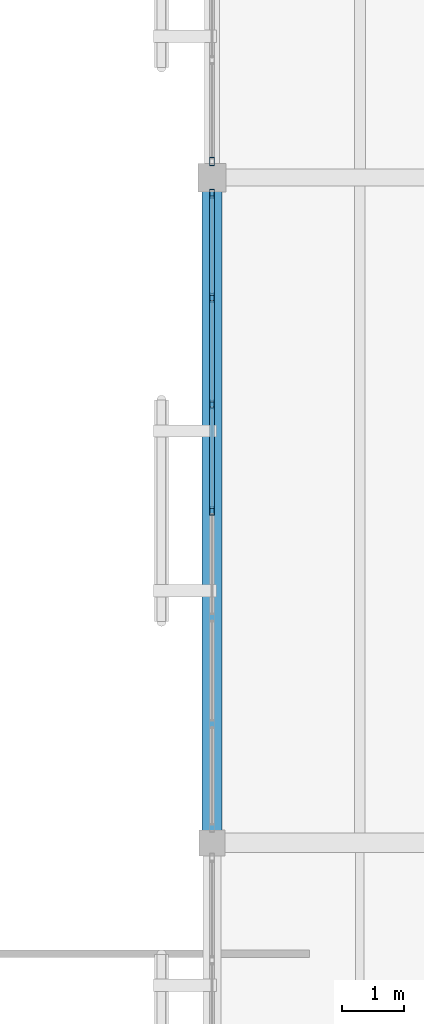
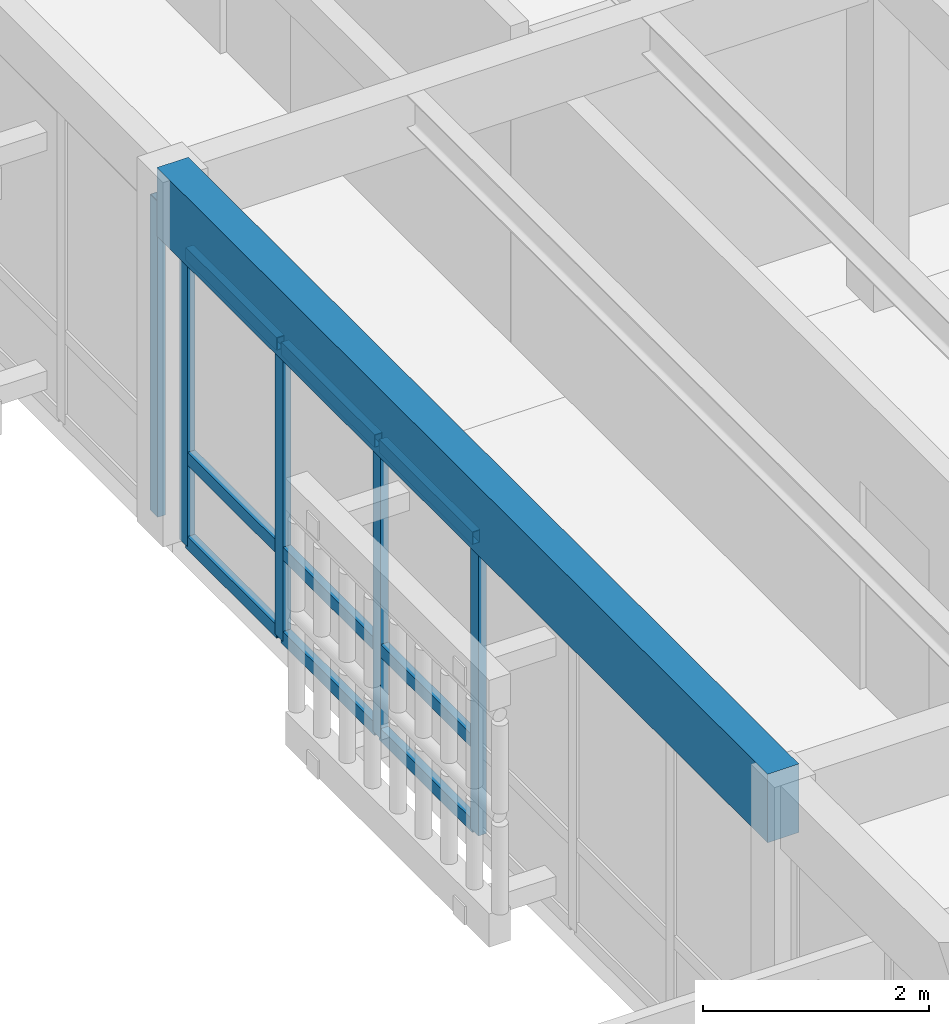
# One storey, part 21 of 61: 14 members, 1 beam, 2 elements without a shape of their own.
"""IFC4 building model written with IfcOpenShell, lengths in metres."""

from ifc_helpers import new_model, si_unit, direction, frame, origin, origin_2d, place, context, subcontext, project, spatial, rectangle, hollow_rectangle, extrude, material, layer, layer_set, material_profile, profile_set, type_object, element, aggregate, save


model = new_model("IFC4")

# Units and contexts
model_context = context("Model", 3, precision=1e-05, world=origin(), true_north=direction((0.0, 1.0)))
body_context = subcontext(model_context, "Body", "Model", "MODEL_VIEW")
ifc_project = project(units=[si_unit("LENGTHUNIT", "METRE"), si_unit("AREAUNIT", "SQUARE_METRE"), si_unit("VOLUMEUNIT", "CUBIC_METRE"), si_unit("PLANEANGLEUNIT", "RADIAN"), si_unit("MASSUNIT", "GRAM", prefix="KILO")], contexts=[model_context])

# Site, building, storey
site_placement = place(None, origin())
site = spatial("IfcSite", under=ifc_project, at=site_placement, CompositionType="ELEMENT")
building_placement = place(site_placement, origin())
building = spatial("IfcBuilding", under=site, at=building_placement, Name="Mazaris Harbour Polytechnic", CompositionType="ELEMENT")
storey_placement = place(building_placement, frame((0.0, 0.0, 18.0)))
storey = spatial("IfcBuildingStorey", under=building, at=storey_placement, Name="L04", CompositionType="ELEMENT", Elevation=18.0)

# Curtain wall, members
ifc_material_1 = material(Name="Anodised Bronze Aluminium and Low-E Glass", Category="aluminium")
ifc_layer = layer(ifc_material_1, 0.159912109375, Name="Anodised Bronze Aluminium and Low-E Glass")
ifc_layer_set = layer_set([ifc_layer], Name="Anodised Bronze Aluminium and Low-E Glass")
curtain_wall_type = type_object("IfcCurtainWallType", Name="Cloister Court Curtain Wall", PredefinedType="NOTDEFINED", material=ifc_layer_set)
curtain_wall_1_placement = place(storey_placement, origin())
curtain_wall_1 = element("IfcCurtainWall", 1, at=curtain_wall_1_placement, inside=storey, type_object=curtain_wall_type, Name="V4 L04 Curtain Wall 176", PredefinedType="NOTDEFINED")
ifc_material_2 = material(Name="Anodised Bronze Steel S355", Category="steel")
ifc_material_profile_1 = material_profile(ifc_material_2, hollow_rectangle(XDim=0.080078125, YDim=0.139892578125, WallThickness=0.00634765625, at=origin_2d()), Name="RHS 80x140x6.3")
ifc_profile_set_1 = profile_set([ifc_material_profile_1], Name="Anodised Bronze Steel S355")
member_type_1 = type_object("IfcMemberType", Name="Curtain Mullion RHS80x140", PredefinedType="MULLION", material=ifc_profile_set_1)
member_1_placement = place(storey_placement, frame((28.800048828125, 53.738037109375, 0.0), z_axis=(0.0, 0.0, 1.0), x_axis=(1.0, 0.0, 0.0)))
member_1 = element("IfcMember", 2, at=member_1_placement, type_object=member_type_1, Name="CW-02 mullion 1", PredefinedType="MULLION", context=body_context, shape_type="SweptSolid", body=[
    extrude(hollow_rectangle(XDim=0.080078125, YDim=0.139892578125, WallThickness=0.00634765625, at=origin_2d()), origin(), (0.0, 0.0, 1.0), 3.18505859375),
])
member_2_placement = place(storey_placement, frame((28.800048828125, 52.048583984375, 0.0), z_axis=(0.0, 0.0, 1.0), x_axis=(1.0, 0.0, 0.0)))
member_2 = element("IfcMember", 3, at=member_2_placement, type_object=member_type_1, Name="CW-02 mullion 2", PredefinedType="MULLION", context=body_context, shape_type="SweptSolid", body=[
    extrude(hollow_rectangle(XDim=0.080078125, YDim=0.139892578125, WallThickness=0.00634765625, at=origin_2d()), origin(), (0.0, 0.0, 1.0), 3.18505859375),
])
member_3_placement = place(storey_placement, frame((28.800048828125, 50.3193359375, 0.0), z_axis=(0.0, 0.0, 1.0), x_axis=(1.0, 0.0, 0.0)))
member_3 = element("IfcMember", 4, at=member_3_placement, type_object=member_type_1, Name="CW-02 mullion 3", PredefinedType="MULLION", context=body_context, shape_type="SweptSolid", body=[
    extrude(hollow_rectangle(XDim=0.080078125, YDim=0.139892578125, WallThickness=0.00634765625, at=origin_2d()), origin(), (0.0, 0.0, 1.0), 3.18505859375),
])
member_4_placement = place(storey_placement, frame((28.800048828125, 48.590087890625, 0.0), z_axis=(0.0, 0.0, 1.0), x_axis=(1.0, 0.0, 0.0)))
member_4 = element("IfcMember", 5, at=member_4_placement, type_object=member_type_1, Name="CW-02 mullion 4", PredefinedType="MULLION", context=body_context, shape_type="SweptSolid", body=[
    extrude(hollow_rectangle(XDim=0.080078125, YDim=0.139892578125, WallThickness=0.00634765625, at=origin_2d()), origin(), (0.0, 0.0, 1.0), 3.18505859375),
])

# Curtain wall, member
curtain_wall_2_placement = place(storey_placement, origin())
curtain_wall_2 = element("IfcCurtainWall", 6, at=curtain_wall_2_placement, inside=storey, type_object=curtain_wall_type, Name="V4 L04 Curtain Wall 177", PredefinedType="NOTDEFINED")
member_5_placement = place(storey_placement, frame((28.800048828125, 54.261962890625, 0.0), z_axis=(0.0, 0.0, 1.0), x_axis=(1.0, 0.0, 0.0)))
member_5 = element("IfcMember", 7, at=member_5_placement, type_object=member_type_1, Name="CW-02 mullion 5", PredefinedType="MULLION", context=body_context, shape_type="SweptSolid", body=[
    extrude(hollow_rectangle(XDim=0.080078125, YDim=0.139892578125, WallThickness=0.00634765625, at=origin_2d()), origin(), (0.0, 0.0, 1.0), 3.405029296875),
])
aggregate(curtain_wall_2, [member_5])

# Member
ifc_material_3 = material(Name="Anodised Bronze Steel S355", Category="steel")
ifc_material_profile_2 = material_profile(ifc_material_3, hollow_rectangle(XDim=0.080078125, YDim=0.139892578125, WallThickness=0.00634765625, at=origin_2d()), Name="RHS 80x140x6.3")
ifc_profile_set_2 = profile_set([ifc_material_profile_2], Name="Anodised Bronze Steel S355")
member_type_2 = type_object("IfcMemberType", Name="Curtain Transom RHS80x140", PredefinedType="USERDEFINED", material=ifc_profile_set_2)
member_6_placement = place(storey_placement, frame((28.800048828125, 53.697998046875, 0.0400390625), z_axis=(0.0, -1.0, 0.0), x_axis=(1.0, 0.0, 0.0)))
member_6 = element("IfcMember", 8, at=member_6_placement, type_object=member_type_2, Name="CW-02 transom 1.1", ObjectType="TRANSOM", PredefinedType="USERDEFINED", context=body_context, shape_type="SweptSolid", body=[
    extrude(hollow_rectangle(XDim=0.080078125, YDim=0.139892578125, WallThickness=0.00634765625, at=origin_2d()), origin(), (0.0, 0.0, 1.0), 1.609375),
])

member_7_placement = place(storey_placement, frame((28.800048828125, 53.697998046875, 0.949951171875), z_axis=(0.0, -1.0, 0.0), x_axis=(1.0, 0.0, 0.0)))
member_7 = element("IfcMember", 9, at=member_7_placement, type_object=member_type_2, Name="CW-02 transom 1.2", ObjectType="TRANSOM", PredefinedType="USERDEFINED", context=body_context, shape_type="SweptSolid", body=[
    extrude(hollow_rectangle(XDim=0.080078125, YDim=0.139892578125, WallThickness=0.00634765625, at=origin_2d()), origin(), (0.0, 0.0, 1.0), 1.609375),
])

member_8_placement = place(storey_placement, frame((28.800048828125, 53.697998046875, 3.14501953125), z_axis=(0.0, -1.0, 0.0), x_axis=(1.0, 0.0, 0.0)))
member_8 = element("IfcMember", 10, at=member_8_placement, type_object=member_type_2, Name="CW-02 transom 1.3", ObjectType="TRANSOM", PredefinedType="USERDEFINED", context=body_context, shape_type="SweptSolid", body=[
    extrude(hollow_rectangle(XDim=0.080078125, YDim=0.139892578125, WallThickness=0.00634765625, at=origin_2d()), origin(), (0.0, 0.0, 1.0), 1.609375),
])

member_9_placement = place(storey_placement, frame((28.800048828125, 52.008544921875, 0.0400390625), z_axis=(0.0, -1.0, 0.0), x_axis=(1.0, 0.0, 0.0)))
member_9 = element("IfcMember", 11, at=member_9_placement, type_object=member_type_2, Name="CW-02 transom 2.1", ObjectType="TRANSOM", PredefinedType="USERDEFINED", context=body_context, shape_type="SweptSolid", body=[
    extrude(hollow_rectangle(XDim=0.080078125, YDim=0.139892578125, WallThickness=0.00634765625, at=origin_2d()), origin(), (0.0, 0.0, 1.0), 1.649169921875),
])

member_10_placement = place(storey_placement, frame((28.800048828125, 52.008544921875, 0.949951171875), z_axis=(0.0, -1.0, 0.0), x_axis=(1.0, 0.0, 0.0)))
member_10 = element("IfcMember", 12, at=member_10_placement, type_object=member_type_2, Name="CW-02 transom 2.2", ObjectType="TRANSOM", PredefinedType="USERDEFINED", context=body_context, shape_type="SweptSolid", body=[
    extrude(hollow_rectangle(XDim=0.080078125, YDim=0.139892578125, WallThickness=0.00634765625, at=origin_2d()), origin(), (0.0, 0.0, 1.0), 1.649169921875),
])

member_11_placement = place(storey_placement, frame((28.800048828125, 52.008544921875, 3.14501953125), z_axis=(0.0, -1.0, 0.0), x_axis=(1.0, 0.0, 0.0)))
member_11 = element("IfcMember", 13, at=member_11_placement, type_object=member_type_2, Name="CW-02 transom 2.3", ObjectType="TRANSOM", PredefinedType="USERDEFINED", context=body_context, shape_type="SweptSolid", body=[
    extrude(hollow_rectangle(XDim=0.080078125, YDim=0.139892578125, WallThickness=0.00634765625, at=origin_2d()), origin(), (0.0, 0.0, 1.0), 1.649169921875),
])

member_12_placement = place(storey_placement, frame((28.800048828125, 50.279296875, 0.0400390625), z_axis=(0.0, -1.0, 0.0), x_axis=(1.0, 0.0, 0.0)))
member_12 = element("IfcMember", 14, at=member_12_placement, type_object=member_type_2, Name="CW-02 transom 3.1", ObjectType="TRANSOM", PredefinedType="USERDEFINED", context=body_context, shape_type="SweptSolid", body=[
    extrude(hollow_rectangle(XDim=0.080078125, YDim=0.139892578125, WallThickness=0.00634765625, at=origin_2d()), origin(), (0.0, 0.0, 1.0), 1.6494140625),
])

member_13_placement = place(storey_placement, frame((28.800048828125, 50.279296875, 0.949951171875), z_axis=(0.0, -1.0, 0.0), x_axis=(1.0, 0.0, 0.0)))
member_13 = element("IfcMember", 15, at=member_13_placement, type_object=member_type_2, Name="CW-02 transom 3.2", ObjectType="TRANSOM", PredefinedType="USERDEFINED", context=body_context, shape_type="SweptSolid", body=[
    extrude(hollow_rectangle(XDim=0.080078125, YDim=0.139892578125, WallThickness=0.00634765625, at=origin_2d()), origin(), (0.0, 0.0, 1.0), 1.6494140625),
])

member_14_placement = place(storey_placement, frame((28.800048828125, 50.279296875, 3.14501953125), z_axis=(0.0, -1.0, 0.0), x_axis=(1.0, 0.0, 0.0)))
member_14 = element("IfcMember", 16, at=member_14_placement, type_object=member_type_2, Name="CW-02 transom 3.3", ObjectType="TRANSOM", PredefinedType="USERDEFINED", context=body_context, shape_type="SweptSolid", body=[
    extrude(hollow_rectangle(XDim=0.080078125, YDim=0.139892578125, WallThickness=0.00634765625, at=origin_2d()), origin(), (0.0, 0.0, 1.0), 1.6494140625),
])

aggregate(curtain_wall_1, [member_1, member_2, member_3, member_4, member_6, member_7, member_8, member_9, member_10, member_11, member_12, member_13, member_14])

# Beam
ifc_material_4 = material(Name="Glulam GL32h", Category="wood")
ifc_material_profile_3 = material_profile(ifc_material_4, rectangle(XDim=0.320068359375, YDim=0.739990234375, at=origin_2d()), Name="RECT320x740")
ifc_profile_set_3 = profile_set([ifc_material_profile_3], Name="Glulam GL32h")
beam_type = type_object("IfcBeamType", Name="Glulam Girder 320x740", PredefinedType="BEAM", material=ifc_profile_set_3)
beam_placement = place(storey_placement, frame((28.800048828125, 43.199951171875, 3.56494140625), z_axis=(0.0, 1.0, 0.0), x_axis=(-1.0, 0.0, 0.0)))
element("IfcBeam", 17, at=beam_placement, inside=storey, type_object=beam_type, Name="V4 L04 Tie Girder 2424", PredefinedType="BEAM", context=body_context, shape_type="SweptSolid", body=[
    extrude(rectangle(XDim=0.320068359375, YDim=0.739990234375, at=origin_2d()), origin(), (0.0, 0.0, 1.0), 10.800048828125),
])

save(model, "model.ifc")
